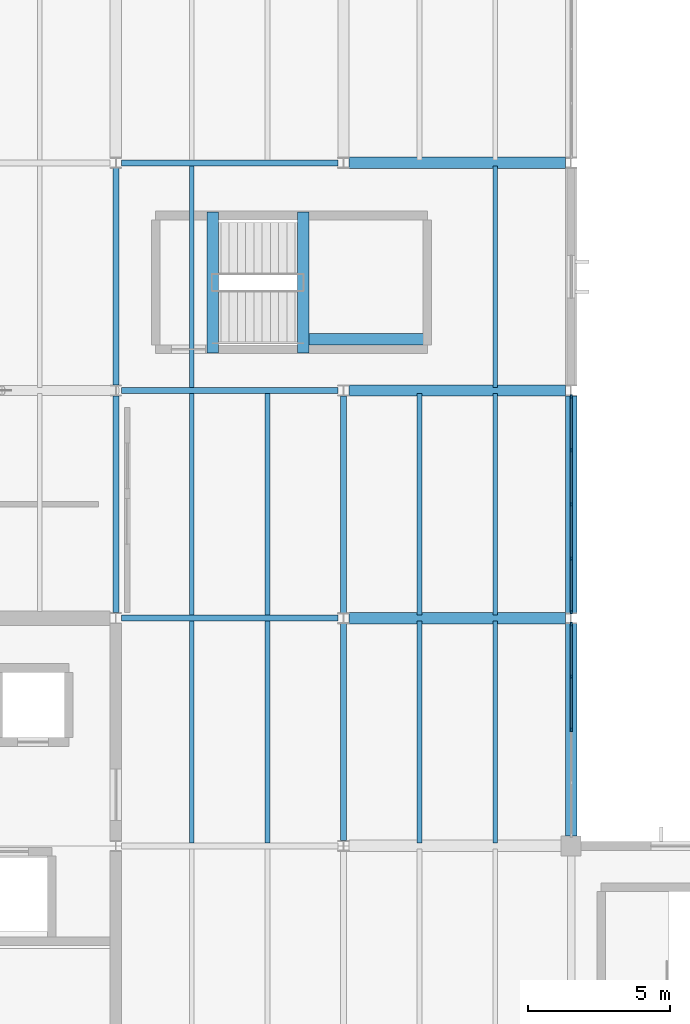
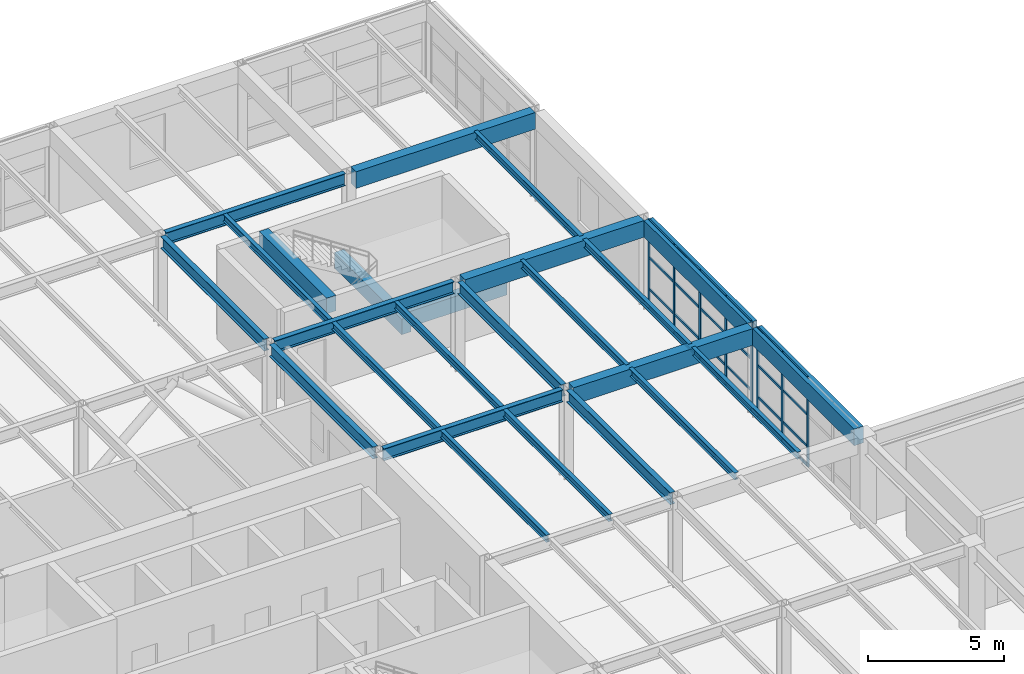
# One storey, part 17 of 48: 32 members, 25 beams, 2 elements without a shape of their own.
"""IFC4 building model written with IfcOpenShell, lengths in metres."""

from ifc_helpers import new_model, si_unit, direction, frame, origin, origin_2d, place, context, subcontext, project, spatial, rectangle, i_section, extrude, material, layer, layer_set, material_profile, profile_set, type_object, element, aggregate, save


model = new_model("IFC4")

# Units and contexts
model_context = context("Model", 3, precision=1e-05, world=origin(), true_north=direction((0.0, 1.0)))
body_context = subcontext(model_context, "Body", "Model", "MODEL_VIEW")
ifc_project = project(units=[si_unit("LENGTHUNIT", "METRE"), si_unit("AREAUNIT", "SQUARE_METRE"), si_unit("VOLUMEUNIT", "CUBIC_METRE"), si_unit("PLANEANGLEUNIT", "RADIAN"), si_unit("MASSUNIT", "GRAM", prefix="KILO")], contexts=[model_context])

# Site, building, storey
site_placement = place(None, origin())
site = spatial("IfcSite", under=ifc_project, at=site_placement, CompositionType="ELEMENT")
building_placement = place(site_placement, origin())
building = spatial("IfcBuilding", under=site, at=building_placement, Name="Varnela Railside Interchange", CompositionType="ELEMENT")
storey_placement = place(building_placement, frame((0.0, 0.0, 11.199951171875)))
storey = spatial("IfcBuildingStorey", under=building, at=storey_placement, Name="L02", CompositionType="ELEMENT", Elevation=11.199951171875)

# Beams
ifc_material_1 = material(Name="Steel AR 350 (350 MPa)", Category="steel")
ifc_material_profile_1 = material_profile(ifc_material_1, i_section(OverallWidth=0.2109375, OverallDepth=0.5390625, WebThickness=0.01171875, FlangeThickness=0.018798828125, at=origin_2d()), Name="W530x109")
ifc_profile_set_1 = profile_set([ifc_material_profile_1], Name="Steel AR 350 (350 MPa)")
beam_type_1 = type_object("IfcBeamType", Name="Composite Girder B-17", PredefinedType="BEAM", material=ifc_profile_set_1)
beam_1_placement = place(storey_placement, frame((36.0, 70.193603515625, 3.73046875), z_axis=(0.0, 1.0, 0.0), x_axis=(-1.0, 0.0, 0.0)))
element("IfcBeam", 1, at=beam_1_placement, inside=storey, type_object=beam_type_1, Name="Composite Girder B-17 (L02) (BM-2080)", PredefinedType="BEAM", context=body_context, shape_type="SweptSolid", body=[
    extrude(i_section(OverallWidth=0.2109375, OverallDepth=0.5390625, WebThickness=0.01171875, FlangeThickness=0.018798828125, at=origin_2d()), origin(), (0.0, 0.0, 1.0), 7.618896484375),
])
for number, where, z_axis, x_axis, name in (
    (2, (36.0, 78.1875, 3.73046875), (0.0, 1.0, 0.0), (-1.0, 0.0, 0.0), "Composite Girder B-17 (L02) (BM-2081)"),
    (3, (44.0, 62.1875, 3.73046875), (0.0, 1.0, 0.0), (-1.0, 0.0, 0.0), "Composite Girder B-17 (L02) (BM-2086)"),
    (4, (44.0, 70.1875, 3.73046875), (0.0, 1.0, 0.0), (-1.0, 0.0, 0.0), "Composite Girder B-17 (L02) (BM-2087)"),
):
    element("IfcBeam", number, at=place(storey_placement, frame(where, z_axis=z_axis, x_axis=x_axis)), inside=storey, type_object=beam_type_1, Name=name, PredefinedType="BEAM", context=body_context, shape_type="SweptSolid", body=[
        extrude(i_section(OverallWidth=0.2109375, OverallDepth=0.5390625, WebThickness=0.01171875, FlangeThickness=0.018798828125, at=origin_2d()), origin(), (0.0, 0.0, 1.0), 7.625),
    ])
ifc_material_profile_2 = material_profile(ifc_material_1, i_section(OverallWidth=0.2119140625, OverallDepth=0.5439453125, WebThickness=0.01318359375, FlangeThickness=0.021240234375, at=origin_2d()), Name="W530x123")
ifc_profile_set_2 = profile_set([ifc_material_profile_2], Name="Steel AR 350 (350 MPa)")
beam_type_2 = type_object("IfcBeamType", Name="Composite Heavy Girder B-16", PredefinedType="BEAM", material=ifc_profile_set_2)
beam_2_placement = place(storey_placement, frame((36.198974609375, 70.0, 3.72802734375), z_axis=(1.0, 0.0, 0.0), x_axis=(0.0, 1.0, 0.0)))
element("IfcBeam", 5, at=beam_2_placement, inside=storey, type_object=beam_type_2, Name="Composite Heavy Girder B-16 (L02) (BM-1989)", PredefinedType="BEAM", context=body_context, shape_type="SweptSolid", body=[
    extrude(i_section(OverallWidth=0.2119140625, OverallDepth=0.5439453125, WebThickness=0.01318359375, FlangeThickness=0.021240234375, at=origin_2d()), origin(), (0.0, 0.0, 1.0), 7.60400390625),
])
for number, where, z_axis, x_axis, name in (
    (6, (36.197021484375, 78.0, 3.72802734375), (1.0, 0.0, 0.0), (0.0, 1.0, 0.0), "Composite Heavy Girder B-16 (L02) (BM-1998)"),
    (7, (36.197021484375, 86.0, 3.72802734375), (1.0, 0.0, 0.0), (0.0, 1.0, 0.0), "Composite Heavy Girder B-16 (L02) (BM-2007)"),
):
    element("IfcBeam", number, at=place(storey_placement, frame(where, z_axis=z_axis, x_axis=x_axis)), inside=storey, type_object=beam_type_2, Name=name, PredefinedType="BEAM", context=body_context, shape_type="SweptSolid", body=[
        extrude(i_section(OverallWidth=0.2119140625, OverallDepth=0.5439453125, WebThickness=0.01318359375, FlangeThickness=0.021240234375, at=origin_2d()), origin(), (0.0, 0.0, 1.0), 7.60595703125),
    ])
ifc_material_profile_3 = material_profile(ifc_material_1, i_section(OverallWidth=0.1669921875, OverallDepth=0.31689453125, WebThickness=0.007568359375, FlangeThickness=0.01318359375, at=origin_2d()), Name="W310x52")
ifc_profile_set_3 = profile_set([ifc_material_profile_3], Name="Steel AR 350 (350 MPa)")
beam_type_3 = type_object("IfcBeamType", Name="Composite Long-Span Joist J-03", PredefinedType="JOIST", material=ifc_profile_set_3)
for number, where, z_axis, x_axis, name in (
    (8, (38.669921875, 62.10595703125, 3.841552734375), (0.0, 1.0, 0.0), (-1.0, 0.0, 0.0), "Composite Long-Span Joist J-03 (L02) (BM-1914)"),
    (9, (41.330078125, 62.10595703125, 3.841552734375), (0.0, 1.0, 0.0), (-1.0, 0.0, 0.0), "Composite Long-Span Joist J-03 (L02) (BM-1915)"),
    (10, (38.669921875, 70.10595703125, 3.841552734375), (0.0, 1.0, 0.0), (-1.0, 0.0, 0.0), "Composite Long-Span Joist J-03 (L02) (BM-1916)"),
    (11, (41.330078125, 70.10595703125, 3.841552734375), (0.0, 1.0, 0.0), (-1.0, 0.0, 0.0), "Composite Long-Span Joist J-03 (L02) (BM-1917)"),
    (12, (38.669921875, 78.10595703125, 3.841552734375), (0.0, 1.0, 0.0), (-1.0, 0.0, 0.0), "Composite Long-Span Joist J-03 (L02) (BM-1918)"),
    (13, (46.669921875, 62.10595703125, 3.841552734375), (0.0, 1.0, 0.0), (-1.0, 0.0, 0.0), "Composite Long-Span Joist J-03 (L02) (BM-1927)"),
    (14, (49.330078125, 62.10595703125, 3.841552734375), (0.0, 1.0, 0.0), (-1.0, 0.0, 0.0), "Composite Long-Span Joist J-03 (L02) (BM-1928)"),
    (15, (46.669921875, 70.10595703125, 3.841552734375), (0.0, 1.0, 0.0), (-1.0, 0.0, 0.0), "Composite Long-Span Joist J-03 (L02) (BM-1929)"),
    (16, (49.330078125, 70.10595703125, 3.841552734375), (0.0, 1.0, 0.0), (-1.0, 0.0, 0.0), "Composite Long-Span Joist J-03 (L02) (BM-1930)"),
    (17, (49.330078125, 78.10595703125, 3.841552734375), (0.0, 1.0, 0.0), (-1.0, 0.0, 0.0), "Composite Long-Span Joist J-03 (L02) (BM-1931)"),
):
    element("IfcBeam", number, at=place(storey_placement, frame(where, z_axis=z_axis, x_axis=x_axis)), inside=storey, type_object=beam_type_3, Name=name, PredefinedType="JOIST", context=body_context, shape_type="SweptSolid", body=[
        extrude(i_section(OverallWidth=0.1669921875, OverallDepth=0.31689453125, WebThickness=0.007568359375, FlangeThickness=0.01318359375, at=origin_2d()), origin(), (0.0, 0.0, 1.0), 7.7880859375),
    ])
ifc_material_2 = material(Name="Concrete C40", Category="concrete")
ifc_material_profile_4 = material_profile(ifc_material_2, rectangle(XDim=0.39990234375, YDim=0.699951171875, at=origin_2d()), Name="RC 400x700")
ifc_profile_set_4 = profile_set([ifc_material_profile_4], Name="Concrete C40")
beam_type_4 = type_object("IfcBeamType", Name="Concrete Tie Beam B-01", PredefinedType="BEAM", material=ifc_profile_set_4)
for number, where, z_axis, x_axis, name in (
    (18, (39.39990234375, 79.320068359375, 3.650146484375), (0.0, 1.0, 0.0), (-1.0, 0.0, 0.0), "Concrete Tie Beam B-01 (L02) (BM-2117)"),
    (19, (42.590087890625, 79.320068359375, 1.590087890625), (0.0, 1.0, 0.0), (-1.0, 0.0, 0.0), "Concrete Tie Beam B-01 (L02) (BM-2111)"),
):
    element("IfcBeam", number, at=place(storey_placement, frame(where, z_axis=z_axis, x_axis=x_axis)), inside=storey, type_object=beam_type_4, Name=name, PredefinedType="BEAM", context=body_context, shape_type="SweptSolid", body=[
        extrude(rectangle(XDim=0.39990234375, YDim=0.699951171875, at=origin_2d()), origin(), (0.0, 0.0, 1.0), 4.9599609375),
    ])
beam_3_placement = place(storey_placement, frame((42.7900390625, 79.800048828125, 1.590087890625), z_axis=(1.0, 0.0, 0.0), x_axis=(0.0, 1.0, 0.0)))
element("IfcBeam", 20, at=beam_3_placement, inside=storey, type_object=beam_type_4, Name="Concrete Tie Beam B-01 (L02) (BM-2105)", PredefinedType="BEAM", context=body_context, shape_type="SweptSolid", body=[
    extrude(rectangle(XDim=0.39990234375, YDim=0.699951171875, at=origin_2d()), origin(), (0.0, 0.0, 1.0), 4.22998046875),
])

# Curtain wall, members
ifc_material_3 = material(Name="Aluminium 6063-T6", Category="aluminium")
ifc_layer = layer(ifc_material_3, 0.035888671875)
ifc_layer_set = layer_set([ifc_layer], Name="Aluminium 6063-T6")
curtain_wall_type = type_object("IfcCurtainWallType", Name="Operations Wing Facade Curtain Wall CW-03", PredefinedType="USERDEFINED", material=ifc_layer_set)
curtain_wall_1_placement = place(storey_placement, origin())
curtain_wall_1 = element("IfcCurtainWall", 21, at=curtain_wall_1_placement, inside=storey, type_object=curtain_wall_type, Name="Curtain Wall CW-03 (L02) (CW-050)", ObjectType="CURTAIN WALL", PredefinedType="USERDEFINED")
ifc_material_profile_5 = material_profile(ifc_material_3, rectangle(XDim=0.06005859375, YDim=0.139892578125, at=origin_2d()), Name="ALU 60x140")
ifc_profile_set_5 = profile_set([ifc_material_profile_5], Name="Aluminium 6063-T6")
member_type_1 = type_object("IfcMemberType", Name="Curtain Wall Mullion ML-01", PredefinedType="MULLION", material=ifc_profile_set_5)
member_1_placement = place(storey_placement, frame((52.0, 77.782470703125, 0.0), z_axis=(0.0, 0.0, 1.0), x_axis=(1.0, 0.0, 0.0)))
member_1 = element("IfcMember", 22, at=member_1_placement, type_object=member_type_1, Name="CW-03 mullion 1", PredefinedType="MULLION", context=body_context, shape_type="SweptSolid", body=[
    extrude(rectangle(XDim=0.06005859375, YDim=0.139892578125, at=origin_2d()), origin(), (0.0, 0.0, 1.0), 4.0),
])
member_2_placement = place(storey_placement, frame((52.0, 75.90625, 0.0), z_axis=(0.0, 0.0, 1.0), x_axis=(1.0, 0.0, 0.0)))
member_2 = element("IfcMember", 23, at=member_2_placement, type_object=member_type_1, Name="CW-03 mullion 2", PredefinedType="MULLION", context=body_context, shape_type="SweptSolid", body=[
    extrude(rectangle(XDim=0.06005859375, YDim=0.139892578125, at=origin_2d()), origin(), (0.0, 0.0, 1.0), 4.0),
])
member_3_placement = place(storey_placement, frame((52.0, 74.0, 0.0), z_axis=(0.0, 0.0, 1.0), x_axis=(1.0, 0.0, 0.0)))
member_3 = element("IfcMember", 24, at=member_3_placement, type_object=member_type_1, Name="CW-03 mullion 3", PredefinedType="MULLION", context=body_context, shape_type="SweptSolid", body=[
    extrude(rectangle(XDim=0.06005859375, YDim=0.139892578125, at=origin_2d()), origin(), (0.0, 0.0, 1.0), 4.0),
])
member_4_placement = place(storey_placement, frame((52.0, 72.09375, 0.0), z_axis=(0.0, 0.0, 1.0), x_axis=(1.0, 0.0, 0.0)))
member_4 = element("IfcMember", 25, at=member_4_placement, type_object=member_type_1, Name="CW-03 mullion 4", PredefinedType="MULLION", context=body_context, shape_type="SweptSolid", body=[
    extrude(rectangle(XDim=0.06005859375, YDim=0.139892578125, at=origin_2d()), origin(), (0.0, 0.0, 1.0), 4.0),
])
member_5_placement = place(storey_placement, frame((52.0, 70.217529296875, 0.0), z_axis=(0.0, 0.0, 1.0), x_axis=(1.0, 0.0, 0.0)))
member_5 = element("IfcMember", 26, at=member_5_placement, type_object=member_type_1, Name="CW-03 mullion 5", PredefinedType="MULLION", context=body_context, shape_type="SweptSolid", body=[
    extrude(rectangle(XDim=0.06005859375, YDim=0.139892578125, at=origin_2d()), origin(), (0.0, 0.0, 1.0), 4.0),
])

curtain_wall_2_placement = place(storey_placement, origin())
curtain_wall_2 = element("IfcCurtainWall", 27, at=curtain_wall_2_placement, inside=storey, type_object=curtain_wall_type, Name="Curtain Wall CW-03 (L02) (CW-051)", ObjectType="CURTAIN WALL", PredefinedType="USERDEFINED")
member_6_placement = place(storey_placement, frame((52.0, 69.782470703125, 0.0), z_axis=(0.0, 0.0, 1.0), x_axis=(1.0, 0.0, 0.0)))
member_6 = element("IfcMember", 28, at=member_6_placement, type_object=member_type_1, Name="CW-03 mullion 1", PredefinedType="MULLION", context=body_context, shape_type="SweptSolid", body=[
    extrude(rectangle(XDim=0.06005859375, YDim=0.139892578125, at=origin_2d()), origin(), (0.0, 0.0, 1.0), 4.0),
])
member_7_placement = place(storey_placement, frame((52.0, 67.94677734375, 0.0), z_axis=(0.0, 0.0, 1.0), x_axis=(1.0, 0.0, 0.0)))
member_7 = element("IfcMember", 29, at=member_7_placement, type_object=member_type_1, Name="CW-03 mullion 2", PredefinedType="MULLION", context=body_context, shape_type="SweptSolid", body=[
    extrude(rectangle(XDim=0.06005859375, YDim=0.139892578125, at=origin_2d()), origin(), (0.0, 0.0, 1.0), 4.0),
])
member_8_placement = place(storey_placement, frame((52.0, 66.081298828125, 0.0), z_axis=(0.0, 0.0, 1.0), x_axis=(1.0, 0.0, 0.0)))
member_8 = element("IfcMember", 30, at=member_8_placement, type_object=member_type_1, Name="CW-03 mullion 3", PredefinedType="MULLION", context=body_context, shape_type="SweptSolid", body=[
    extrude(rectangle(XDim=0.06005859375, YDim=0.139892578125, at=origin_2d()), origin(), (0.0, 0.0, 1.0), 4.0),
])

# Member
ifc_material_profile_6 = material_profile(ifc_material_3, rectangle(XDim=0.06005859375, YDim=0.110107421875, at=origin_2d()), Name="ALU 60x110")
ifc_profile_set_6 = profile_set([ifc_material_profile_6], Name="Aluminium 6063-T6")
member_type_2 = type_object("IfcMemberType", Name="Curtain Wall Transom TR-01", PredefinedType="USERDEFINED", material=ifc_profile_set_6)
member_9_placement = place(storey_placement, frame((52.0, 77.75244140625, 0.030029296875), z_axis=(0.0, -1.0, 0.0), x_axis=(1.0, 0.0, 0.0)))
member_9 = element("IfcMember", 31, at=member_9_placement, type_object=member_type_2, Name="CW-03 transom 1.1", ObjectType="TRANSOM", PredefinedType="USERDEFINED", context=body_context, shape_type="SweptSolid", body=[
    extrude(rectangle(XDim=0.06005859375, YDim=0.110107421875, at=origin_2d()), origin(), (0.0, 0.0, 1.0), 1.816162109375),
])

member_10_placement = place(storey_placement, frame((52.0, 77.75244140625, 0.900146484375), z_axis=(0.0, -1.0, 0.0), x_axis=(1.0, 0.0, 0.0)))
member_10 = element("IfcMember", 32, at=member_10_placement, type_object=member_type_2, Name="CW-03 transom 1.2", ObjectType="TRANSOM", PredefinedType="USERDEFINED", context=body_context, shape_type="SweptSolid", body=[
    extrude(rectangle(XDim=0.06005859375, YDim=0.110107421875, at=origin_2d()), origin(), (0.0, 0.0, 1.0), 1.816162109375),
])

member_11_placement = place(storey_placement, frame((52.0, 77.75244140625, 2.320068359375), z_axis=(0.0, -1.0, 0.0), x_axis=(1.0, 0.0, 0.0)))
member_11 = element("IfcMember", 33, at=member_11_placement, type_object=member_type_2, Name="CW-03 transom 1.3", ObjectType="TRANSOM", PredefinedType="USERDEFINED", context=body_context, shape_type="SweptSolid", body=[
    extrude(rectangle(XDim=0.06005859375, YDim=0.110107421875, at=origin_2d()), origin(), (0.0, 0.0, 1.0), 1.816162109375),
])

member_12_placement = place(storey_placement, frame((52.0, 77.75244140625, 3.969970703125), z_axis=(0.0, -1.0, 0.0), x_axis=(1.0, 0.0, 0.0)))
member_12 = element("IfcMember", 34, at=member_12_placement, type_object=member_type_2, Name="CW-03 transom 1.4", ObjectType="TRANSOM", PredefinedType="USERDEFINED", context=body_context, shape_type="SweptSolid", body=[
    extrude(rectangle(XDim=0.06005859375, YDim=0.110107421875, at=origin_2d()), origin(), (0.0, 0.0, 1.0), 1.816162109375),
])

member_13_placement = place(storey_placement, frame((52.0, 75.876220703125, 0.030029296875), z_axis=(0.0, -1.0, 0.0), x_axis=(1.0, 0.0, 0.0)))
member_13 = element("IfcMember", 35, at=member_13_placement, type_object=member_type_2, Name="CW-03 transom 2.1", ObjectType="TRANSOM", PredefinedType="USERDEFINED", context=body_context, shape_type="SweptSolid", body=[
    extrude(rectangle(XDim=0.06005859375, YDim=0.110107421875, at=origin_2d()), origin(), (0.0, 0.0, 1.0), 1.84619140625),
])

member_14_placement = place(storey_placement, frame((52.0, 75.876220703125, 0.900146484375), z_axis=(0.0, -1.0, 0.0), x_axis=(1.0, 0.0, 0.0)))
member_14 = element("IfcMember", 36, at=member_14_placement, type_object=member_type_2, Name="CW-03 transom 2.2", ObjectType="TRANSOM", PredefinedType="USERDEFINED", context=body_context, shape_type="SweptSolid", body=[
    extrude(rectangle(XDim=0.06005859375, YDim=0.110107421875, at=origin_2d()), origin(), (0.0, 0.0, 1.0), 1.84619140625),
])

member_15_placement = place(storey_placement, frame((52.0, 75.876220703125, 2.320068359375), z_axis=(0.0, -1.0, 0.0), x_axis=(1.0, 0.0, 0.0)))
member_15 = element("IfcMember", 37, at=member_15_placement, type_object=member_type_2, Name="CW-03 transom 2.3", ObjectType="TRANSOM", PredefinedType="USERDEFINED", context=body_context, shape_type="SweptSolid", body=[
    extrude(rectangle(XDim=0.06005859375, YDim=0.110107421875, at=origin_2d()), origin(), (0.0, 0.0, 1.0), 1.84619140625),
])

member_16_placement = place(storey_placement, frame((52.0, 75.876220703125, 3.969970703125), z_axis=(0.0, -1.0, 0.0), x_axis=(1.0, 0.0, 0.0)))
member_16 = element("IfcMember", 38, at=member_16_placement, type_object=member_type_2, Name="CW-03 transom 2.4", ObjectType="TRANSOM", PredefinedType="USERDEFINED", context=body_context, shape_type="SweptSolid", body=[
    extrude(rectangle(XDim=0.06005859375, YDim=0.110107421875, at=origin_2d()), origin(), (0.0, 0.0, 1.0), 1.84619140625),
])

member_17_placement = place(storey_placement, frame((52.0, 73.969970703125, 0.030029296875), z_axis=(0.0, -1.0, 0.0), x_axis=(1.0, 0.0, 0.0)))
member_17 = element("IfcMember", 39, at=member_17_placement, type_object=member_type_2, Name="CW-03 transom 3.1", ObjectType="TRANSOM", PredefinedType="USERDEFINED", context=body_context, shape_type="SweptSolid", body=[
    extrude(rectangle(XDim=0.06005859375, YDim=0.110107421875, at=origin_2d()), origin(), (0.0, 0.0, 1.0), 1.84619140625),
])

member_18_placement = place(storey_placement, frame((52.0, 73.969970703125, 0.900146484375), z_axis=(0.0, -1.0, 0.0), x_axis=(1.0, 0.0, 0.0)))
member_18 = element("IfcMember", 40, at=member_18_placement, type_object=member_type_2, Name="CW-03 transom 3.2", ObjectType="TRANSOM", PredefinedType="USERDEFINED", context=body_context, shape_type="SweptSolid", body=[
    extrude(rectangle(XDim=0.06005859375, YDim=0.110107421875, at=origin_2d()), origin(), (0.0, 0.0, 1.0), 1.84619140625),
])

member_19_placement = place(storey_placement, frame((52.0, 73.969970703125, 2.320068359375), z_axis=(0.0, -1.0, 0.0), x_axis=(1.0, 0.0, 0.0)))
member_19 = element("IfcMember", 41, at=member_19_placement, type_object=member_type_2, Name="CW-03 transom 3.3", ObjectType="TRANSOM", PredefinedType="USERDEFINED", context=body_context, shape_type="SweptSolid", body=[
    extrude(rectangle(XDim=0.06005859375, YDim=0.110107421875, at=origin_2d()), origin(), (0.0, 0.0, 1.0), 1.84619140625),
])

member_20_placement = place(storey_placement, frame((52.0, 73.969970703125, 3.969970703125), z_axis=(0.0, -1.0, 0.0), x_axis=(1.0, 0.0, 0.0)))
member_20 = element("IfcMember", 42, at=member_20_placement, type_object=member_type_2, Name="CW-03 transom 3.4", ObjectType="TRANSOM", PredefinedType="USERDEFINED", context=body_context, shape_type="SweptSolid", body=[
    extrude(rectangle(XDim=0.06005859375, YDim=0.110107421875, at=origin_2d()), origin(), (0.0, 0.0, 1.0), 1.84619140625),
])

member_21_placement = place(storey_placement, frame((52.0, 72.063720703125, 0.030029296875), z_axis=(0.0, -1.0, 0.0), x_axis=(1.0, 0.0, 0.0)))
member_21 = element("IfcMember", 43, at=member_21_placement, type_object=member_type_2, Name="CW-03 transom 4.1", ObjectType="TRANSOM", PredefinedType="USERDEFINED", context=body_context, shape_type="SweptSolid", body=[
    extrude(rectangle(XDim=0.06005859375, YDim=0.110107421875, at=origin_2d()), origin(), (0.0, 0.0, 1.0), 1.816162109375),
])

member_22_placement = place(storey_placement, frame((52.0, 72.063720703125, 0.900146484375), z_axis=(0.0, -1.0, 0.0), x_axis=(1.0, 0.0, 0.0)))
member_22 = element("IfcMember", 44, at=member_22_placement, type_object=member_type_2, Name="CW-03 transom 4.2", ObjectType="TRANSOM", PredefinedType="USERDEFINED", context=body_context, shape_type="SweptSolid", body=[
    extrude(rectangle(XDim=0.06005859375, YDim=0.110107421875, at=origin_2d()), origin(), (0.0, 0.0, 1.0), 1.816162109375),
])

member_23_placement = place(storey_placement, frame((52.0, 72.063720703125, 2.320068359375), z_axis=(0.0, -1.0, 0.0), x_axis=(1.0, 0.0, 0.0)))
member_23 = element("IfcMember", 45, at=member_23_placement, type_object=member_type_2, Name="CW-03 transom 4.3", ObjectType="TRANSOM", PredefinedType="USERDEFINED", context=body_context, shape_type="SweptSolid", body=[
    extrude(rectangle(XDim=0.06005859375, YDim=0.110107421875, at=origin_2d()), origin(), (0.0, 0.0, 1.0), 1.816162109375),
])

member_24_placement = place(storey_placement, frame((52.0, 72.063720703125, 3.969970703125), z_axis=(0.0, -1.0, 0.0), x_axis=(1.0, 0.0, 0.0)))
member_24 = element("IfcMember", 46, at=member_24_placement, type_object=member_type_2, Name="CW-03 transom 4.4", ObjectType="TRANSOM", PredefinedType="USERDEFINED", context=body_context, shape_type="SweptSolid", body=[
    extrude(rectangle(XDim=0.06005859375, YDim=0.110107421875, at=origin_2d()), origin(), (0.0, 0.0, 1.0), 1.816162109375),
])

aggregate(curtain_wall_1, [member_1, member_2, member_3, member_4, member_5, member_9, member_10, member_11, member_12, member_13, member_14, member_15, member_16, member_17, member_18, member_19, member_20, member_21, member_22, member_23, member_24])

member_25_placement = place(storey_placement, frame((52.0, 69.75244140625, 0.030029296875), z_axis=(0.0, -1.0, 0.0), x_axis=(1.0, 0.0, 0.0)))
member_25 = element("IfcMember", 47, at=member_25_placement, type_object=member_type_2, Name="CW-03 transom 1.1", ObjectType="TRANSOM", PredefinedType="USERDEFINED", context=body_context, shape_type="SweptSolid", body=[
    extrude(rectangle(XDim=0.06005859375, YDim=0.110107421875, at=origin_2d()), origin(), (0.0, 0.0, 1.0), 1.775634765625),
])

member_26_placement = place(storey_placement, frame((52.0, 69.75244140625, 0.900146484375), z_axis=(0.0, -1.0, 0.0), x_axis=(1.0, 0.0, 0.0)))
member_26 = element("IfcMember", 48, at=member_26_placement, type_object=member_type_2, Name="CW-03 transom 1.2", ObjectType="TRANSOM", PredefinedType="USERDEFINED", context=body_context, shape_type="SweptSolid", body=[
    extrude(rectangle(XDim=0.06005859375, YDim=0.110107421875, at=origin_2d()), origin(), (0.0, 0.0, 1.0), 1.775634765625),
])

member_27_placement = place(storey_placement, frame((52.0, 69.75244140625, 2.320068359375), z_axis=(0.0, -1.0, 0.0), x_axis=(1.0, 0.0, 0.0)))
member_27 = element("IfcMember", 49, at=member_27_placement, type_object=member_type_2, Name="CW-03 transom 1.3", ObjectType="TRANSOM", PredefinedType="USERDEFINED", context=body_context, shape_type="SweptSolid", body=[
    extrude(rectangle(XDim=0.06005859375, YDim=0.110107421875, at=origin_2d()), origin(), (0.0, 0.0, 1.0), 1.775634765625),
])

member_28_placement = place(storey_placement, frame((52.0, 69.75244140625, 3.969970703125), z_axis=(0.0, -1.0, 0.0), x_axis=(1.0, 0.0, 0.0)))
member_28 = element("IfcMember", 50, at=member_28_placement, type_object=member_type_2, Name="CW-03 transom 1.4", ObjectType="TRANSOM", PredefinedType="USERDEFINED", context=body_context, shape_type="SweptSolid", body=[
    extrude(rectangle(XDim=0.06005859375, YDim=0.110107421875, at=origin_2d()), origin(), (0.0, 0.0, 1.0), 1.775634765625),
])

member_29_placement = place(storey_placement, frame((52.0, 67.9169921875, 0.030029296875), z_axis=(0.0, -1.0, 0.0), x_axis=(1.0, 0.0, 0.0)))
member_29 = element("IfcMember", 51, at=member_29_placement, type_object=member_type_2, Name="CW-03 transom 2.1", ObjectType="TRANSOM", PredefinedType="USERDEFINED", context=body_context, shape_type="SweptSolid", body=[
    extrude(rectangle(XDim=0.06005859375, YDim=0.110107421875, at=origin_2d()), origin(), (0.0, 0.0, 1.0), 1.8056640625),
])

member_30_placement = place(storey_placement, frame((52.0, 67.9169921875, 0.900146484375), z_axis=(0.0, -1.0, 0.0), x_axis=(1.0, 0.0, 0.0)))
member_30 = element("IfcMember", 52, at=member_30_placement, type_object=member_type_2, Name="CW-03 transom 2.2", ObjectType="TRANSOM", PredefinedType="USERDEFINED", context=body_context, shape_type="SweptSolid", body=[
    extrude(rectangle(XDim=0.06005859375, YDim=0.110107421875, at=origin_2d()), origin(), (0.0, 0.0, 1.0), 1.8056640625),
])

member_31_placement = place(storey_placement, frame((52.0, 67.9169921875, 2.320068359375), z_axis=(0.0, -1.0, 0.0), x_axis=(1.0, 0.0, 0.0)))
member_31 = element("IfcMember", 53, at=member_31_placement, type_object=member_type_2, Name="CW-03 transom 2.3", ObjectType="TRANSOM", PredefinedType="USERDEFINED", context=body_context, shape_type="SweptSolid", body=[
    extrude(rectangle(XDim=0.06005859375, YDim=0.110107421875, at=origin_2d()), origin(), (0.0, 0.0, 1.0), 1.8056640625),
])

member_32_placement = place(storey_placement, frame((52.0, 67.9169921875, 3.969970703125), z_axis=(0.0, -1.0, 0.0), x_axis=(1.0, 0.0, 0.0)))
member_32 = element("IfcMember", 54, at=member_32_placement, type_object=member_type_2, Name="CW-03 transom 2.4", ObjectType="TRANSOM", PredefinedType="USERDEFINED", context=body_context, shape_type="SweptSolid", body=[
    extrude(rectangle(XDim=0.06005859375, YDim=0.110107421875, at=origin_2d()), origin(), (0.0, 0.0, 1.0), 1.8056640625),
])

aggregate(curtain_wall_2, [member_6, member_7, member_8, member_25, member_26, member_27, member_28, member_29, member_30, member_31, member_32])

# Beams
ifc_material_4 = material(Name="Concrete C40 precast", Category="concrete")
ifc_material_profile_7 = material_profile(ifc_material_4, rectangle(XDim=0.39990234375, YDim=0.75, at=origin_2d()), Name="PC 400x750")
ifc_profile_set_7 = profile_set([ifc_material_profile_7], Name="Concrete C40 precast")
beam_type_5 = type_object("IfcBeamType", Name="Precast Facade Spandrel SP-03", PredefinedType="SPANDREL", material=ifc_profile_set_7)
for number, where, z_axis, x_axis, name in (
    (55, (44.197021484375, 70.0, 3.625), (1.0, 0.0, 0.0), (0.0, 1.0, 0.0), "Precast Facade Spandrel SP-03 (L02) (BM-1990)"),
    (56, (44.197021484375, 78.0, 3.625), (1.0, 0.0, 0.0), (0.0, 1.0, 0.0), "Precast Facade Spandrel SP-03 (L02) (BM-1999)"),
    (57, (44.197021484375, 86.0, 3.625), (1.0, 0.0, 0.0), (0.0, 1.0, 0.0), "Precast Facade Spandrel SP-03 (L02) (BM-2008)"),
):
    element("IfcBeam", number, at=place(storey_placement, frame(where, z_axis=z_axis, x_axis=x_axis)), inside=storey, type_object=beam_type_5, Name=name, PredefinedType="SPANDREL", context=body_context, shape_type="SweptSolid", body=[
        extrude(rectangle(XDim=0.39990234375, YDim=0.75, at=origin_2d()), origin(), (0.0, 0.0, 1.0), 7.60595703125),
    ])
beam_4_placement = place(storey_placement, frame((52.0, 62.35009765625, 3.625), z_axis=(0.0, 1.0, 0.0), x_axis=(-1.0, 0.0, 0.0)))
element("IfcBeam", 58, at=beam_4_placement, inside=storey, type_object=beam_type_5, Name="Precast Facade Spandrel SP-03 (L02) (BM-2092)", PredefinedType="SPANDREL", context=body_context, shape_type="SweptSolid", body=[
    extrude(rectangle(XDim=0.39990234375, YDim=0.75, at=origin_2d()), origin(), (0.0, 0.0, 1.0), 7.46240234375),
])
beam_5_placement = place(storey_placement, frame((52.0, 70.1875, 3.625), z_axis=(0.0, 1.0, 0.0), x_axis=(-1.0, 0.0, 0.0)))
element("IfcBeam", 59, at=beam_5_placement, inside=storey, type_object=beam_type_5, Name="Precast Facade Spandrel SP-03 (L02) (BM-2093)", PredefinedType="SPANDREL", context=body_context, shape_type="SweptSolid", body=[
    extrude(rectangle(XDim=0.39990234375, YDim=0.75, at=origin_2d()), origin(), (0.0, 0.0, 1.0), 7.625),
])

save(model, "model.ifc")
